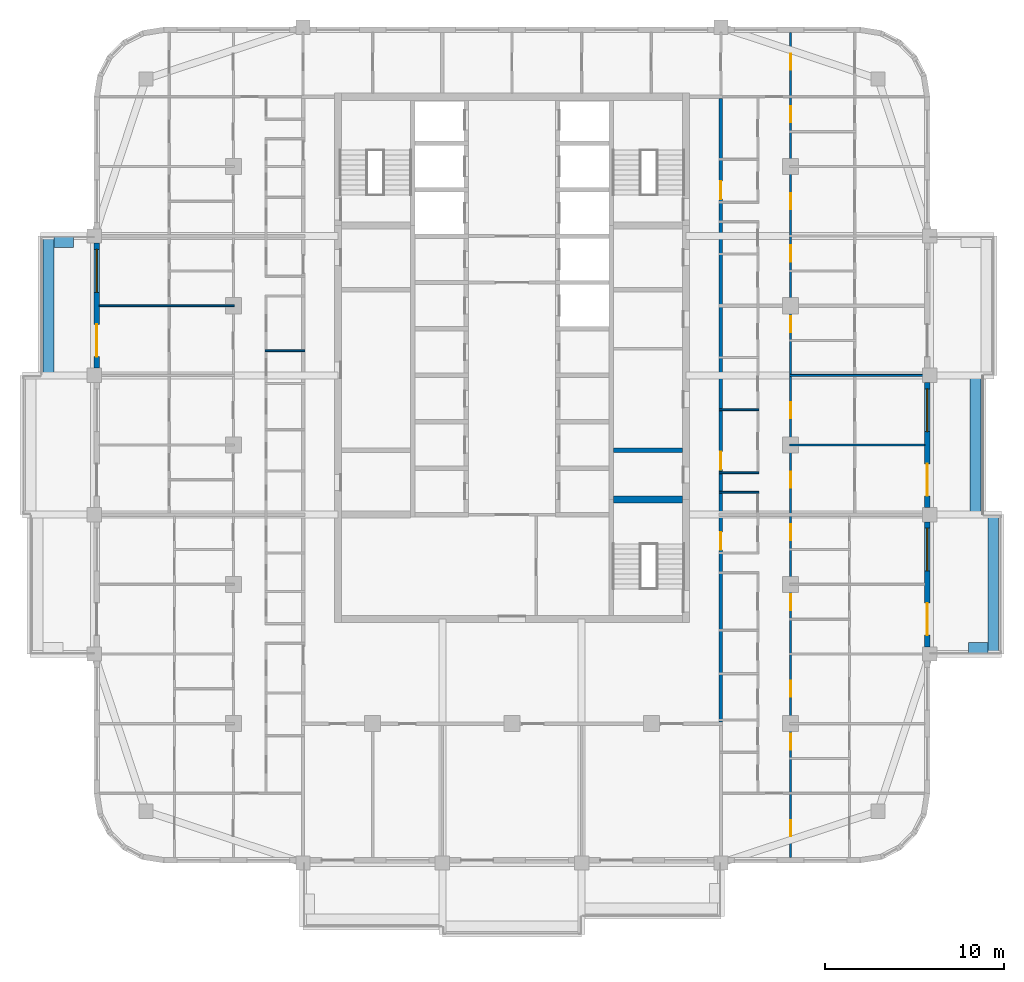
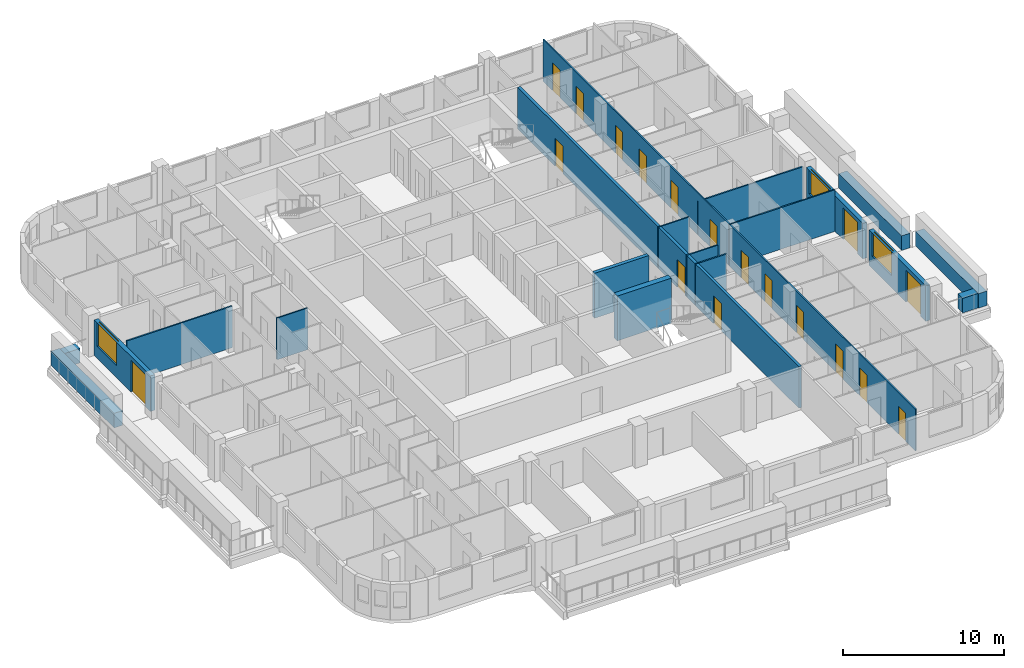
# One storey, part 7 of 16: 19 walls, 18 doors, 3 windows, 21 openings.
"""IFC4 building model written with IfcOpenShell, lengths in metres."""

from ifc_helpers import new_model, si_unit, direction, frame, frame_2d, origin, place, context, subcontext, project, spatial, rectangle, extrude, material, layer, layer_set, type_object, element, fill, save


model = new_model("IFC4")

# Units and contexts
model_context = context("Model", 3, precision=1e-05, world=origin(), true_north=direction((0.0, 1.0)))
body_context = subcontext(model_context, "Body", "Model", "MODEL_VIEW")
ifc_project = project(units=[si_unit("LENGTHUNIT", "METRE"), si_unit("AREAUNIT", "SQUARE_METRE"), si_unit("VOLUMEUNIT", "CUBIC_METRE"), si_unit("PLANEANGLEUNIT", "RADIAN"), si_unit("MASSUNIT", "GRAM", prefix="KILO")], contexts=[model_context])

# Site, building, storey
site_placement = place(None, origin())
site = spatial("IfcSite", under=ifc_project, at=site_placement, CompositionType="ELEMENT")
building_placement = place(site_placement, origin())
building = spatial("IfcBuilding", under=site, at=building_placement, Name="Ludao Terraces", CompositionType="ELEMENT")
storey_placement = place(building_placement, frame((0.0, 0.0, 204.10009765625)))
storey = spatial("IfcBuildingStorey", under=building, at=storey_placement, Name="L55", CompositionType="ELEMENT", Elevation=204.10009765625)

# Walls
ifc_material_1 = material(Name="Concrete C40", Category="concrete")
ifc_layer_1 = layer(ifc_material_1, 0.60009765625)
ifc_layer_set_1 = layer_set([ifc_layer_1], Name="ENV Planter trough 600")
wall_type_1 = type_object("IfcWallType", Name="ENV Planter trough 600", PredefinedType="USERDEFINED", material=ifc_layer_set_1)
wall_1_placement = place(storey_placement, frame((111.949951171875, 53.300048828125, 0.0), z_axis=(0.0, 0.0, 1.0), x_axis=(0.0, 1.0, 0.0)))
element("IfcWall", 1, at=wall_1_placement, inside=storey, type_object=wall_type_1, Name="PL-L55-E1", ObjectType="PLANTER", PredefinedType="USERDEFINED", context=body_context, shape_type="SweptSolid", body=[
    extrude(rectangle(XDim=7.800048828125, YDim=0.60009765625, at=frame_2d((3.89990234375, 0.0))), origin(), (0.0, 0.0, 1.0), 1.099853515625),
])
wall_2_placement = place(storey_placement, frame((111.64990234375, 53.64990234375, 0.0), z_axis=(0.0, 0.0, 1.0), x_axis=(-1.0, 0.0, 0.0)))
element("IfcWall", 2, at=wall_2_placement, inside=storey, type_object=wall_type_1, Name="PL-L55-E1-SA", ObjectType="PLANTER", PredefinedType="USERDEFINED", context=body_context, shape_type="SweptSolid", body=[
    extrude(rectangle(XDim=1.099853515625, YDim=0.60009765625, at=frame_2d((0.5498046875, 0.0))), origin(), (0.0, 0.0, 1.0), 1.099853515625),
])
wall_3_placement = place(storey_placement, frame((110.949951171875, 61.10009765625, 0.0), z_axis=(0.0, 0.0, 1.0), x_axis=(0.0, 1.0, 0.0)))
element("IfcWall", 3, at=wall_3_placement, inside=storey, type_object=wall_type_1, Name="PL-L55-E2", ObjectType="PLANTER", PredefinedType="USERDEFINED", context=body_context, shape_type="SweptSolid", body=[
    extrude(rectangle(XDim=7.7998046875, YDim=0.60009765625, at=frame_2d((3.89990234375, 0.0))), origin(), (0.0, 0.0, 1.0), 1.099853515625),
])
wall_4_placement = place(storey_placement, frame((59.050048828125, 68.89990234375, 0.0), z_axis=(0.0, 0.0, 1.0), x_axis=(0.0, 1.0, 0.0)))
element("IfcWall", 4, at=wall_4_placement, inside=storey, type_object=wall_type_1, Name="PL-L55-W3", ObjectType="PLANTER", PredefinedType="USERDEFINED", context=body_context, shape_type="SweptSolid", body=[
    extrude(rectangle(XDim=7.800048828125, YDim=0.60009765625, at=frame_2d((3.89990234375, 0.0))), origin(), (0.0, 0.0, 1.0), 1.099853515625),
])
wall_5_placement = place(storey_placement, frame((59.35009765625, 76.35009765625, 0.0), z_axis=(0.0, 0.0, 1.0), x_axis=(1.0, 0.0, 0.0)))
element("IfcWall", 5, at=wall_5_placement, inside=storey, type_object=wall_type_1, Name="PL-L55-W3-SB", ObjectType="PLANTER", PredefinedType="USERDEFINED", context=body_context, shape_type="SweptSolid", body=[
    extrude(rectangle(XDim=1.099853515625, YDim=0.60009765625, at=frame_2d((0.5498046875, 0.0))), origin(), (0.0, 0.0, 1.0), 1.099853515625),
])

# Wall, openings, door, window
ifc_material_2 = material(Name="Granite cladding", Category="masonry")
ifc_layer_2 = layer(ifc_material_2, 0.0400390625, Category="stone")
ifc_material_3 = material(Name="Mineral wool")
ifc_layer_3 = layer(ifc_material_3, 0.06005859375)
ifc_layer_4 = layer(ifc_material_1, 0.199951171875, Category="concrete")
ifc_layer_set_2 = layer_set([ifc_layer_2, ifc_layer_3, ifc_layer_4], Name="ENV Stone-clad wall 300")
wall_type_2 = type_object("IfcWallType", Name="ENV Stone-clad wall 300", PredefinedType="SOLIDWALL", material=ifc_layer_set_2)
wall_6_placement = place(storey_placement, frame((108.25, 53.699951171875, 0.0), z_axis=(0.0, 0.0, 1.0), x_axis=(0.0, 1.0, 0.0)))
wall_6 = element("IfcWall", 6, at=wall_6_placement, inside=storey, type_object=wall_type_2, Name="EW-L55-E2", PredefinedType="SOLIDWALL", context=body_context, shape_type="SweptSolid", body=[
    extrude(rectangle(XDim=7.0, YDim=0.300048828125, at=frame_2d((3.5, 0.0))), origin(), (0.0, 0.0, 1.0), 2.699951171875),
])
opening_1_placement = place(wall_6_placement, frame((0.64990234375, 0.0, 0.0)))
opening_1 = element("IfcOpeningElement", 7, at=opening_1_placement, cuts=wall_6, Name="Opening BD", PredefinedType="OPENING", context=body_context, shape_type="SweptSolid", body=[
    extrude(rectangle(XDim=1.800048828125, YDim=2.39990234375, at=frame_2d((0.89990234375, 1.199951171875))), frame((0.0, 0.16015625, 0.0), z_axis=(0.0, -1.0, 0.0), x_axis=(1.0, 0.0, 0.0)), (0.0, 0.0, 1.0), 0.320068359375),
])
opening_2_placement = place(wall_6_placement, frame((4.25, 0.0, 0.89990234375)))
opening_2 = element("IfcOpeningElement", 8, at=opening_2_placement, cuts=wall_6, Name="Opening W1", PredefinedType="OPENING", context=body_context, shape_type="SweptSolid", body=[
    extrude(rectangle(XDim=2.39990234375, YDim=1.800048828125, at=frame_2d((1.199951171875, 0.89990234375))), frame((0.0, 0.16015625, 0.0), z_axis=(0.0, -1.0, 0.0), x_axis=(1.0, 0.0, 0.0)), (0.0, 0.0, 1.0), 0.320068359375),
])
ifc_material_4 = material(Name="Aluminium glazed door", Category="aluminium")
ifc_layer_5 = layer(ifc_material_4, 0.06005859375)
ifc_layer_set_3 = layer_set([ifc_layer_5], Name="ENV Balcony door BD 1800x2400")
door_type_1 = type_object("IfcDoorType", Name="ENV Balcony door BD 1800x2400", OperationType="DOUBLE_DOOR_SINGLE_SWING", PredefinedType="DOOR", material=ifc_layer_set_3)
door_1_placement = place(opening_1_placement, origin())
door_1 = element("IfcDoor", 9, at=door_1_placement, inside=storey, type_object=door_type_1, Name="BD-L55-E2-1", OperationType="DOUBLE_DOOR_SINGLE_SWING", OverallHeight=2.39990234375, OverallWidth=1.800048828125, PredefinedType="DOOR", context=body_context, shape_type="SweptSolid", body=[
    extrude(rectangle(XDim=1.800048828125, YDim=2.39990234375, at=frame_2d((0.89990234375, 1.199951171875))), frame((0.0, 0.02490234375, 0.0), z_axis=(0.0, -1.0, 0.0), x_axis=(1.0, 0.0, 0.0)), (0.0, 0.0, 1.0), 0.050048828125),
])
fill(opening_1, door_1)
ifc_material_5 = material(Name="Clear glass in aluminium frame", Category="aluminium")
ifc_layer_6 = layer(ifc_material_5, 0.06005859375)
ifc_layer_set_4 = layer_set([ifc_layer_6], Name="ENV Window W1 2400x1800")
window_type = type_object("IfcWindowType", Name="ENV Window W1 2400x1800", PartitioningType="DOUBLE_PANEL_VERTICAL", PredefinedType="WINDOW", material=ifc_layer_set_4)
window_1_placement = place(opening_2_placement, origin())
window_1 = element("IfcWindow", 10, at=window_1_placement, inside=storey, type_object=window_type, Name="W-L55-E2-2", OverallHeight=1.800048828125, OverallWidth=2.39990234375, PartitioningType="DOUBLE_PANEL_VERTICAL", PredefinedType="WINDOW", context=body_context, shape_type="SweptSolid", body=[
    extrude(rectangle(XDim=2.39990234375, YDim=1.800048828125, at=frame_2d((1.199951171875, 0.89990234375))), frame((0.0, 0.030029296875, 0.0), z_axis=(0.0, -1.0, 0.0), x_axis=(1.0, 0.0, 0.0)), (0.0, 0.0, 1.0), 0.06005859375),
])
fill(opening_2, window_1)

wall_7_placement = place(storey_placement, frame((108.25, 61.5, 0.0), z_axis=(0.0, 0.0, 1.0), x_axis=(0.0, 1.0, 0.0)))
wall_7 = element("IfcWall", 11, at=wall_7_placement, inside=storey, type_object=wall_type_2, Name="EW-L55-E3", PredefinedType="SOLIDWALL", context=body_context, shape_type="SweptSolid", body=[
    extrude(rectangle(XDim=7.0, YDim=0.300048828125, at=frame_2d((3.5, 0.0))), origin(), (0.0, 0.0, 1.0), 2.699951171875),
])
opening_3_placement = place(wall_7_placement, frame((0.64990234375, 0.0, 0.0)))
opening_3 = element("IfcOpeningElement", 12, at=opening_3_placement, cuts=wall_7, Name="Opening BD", PredefinedType="OPENING", context=body_context, shape_type="SweptSolid", body=[
    extrude(rectangle(XDim=1.800048828125, YDim=2.39990234375, at=frame_2d((0.89990234375, 1.199951171875))), frame((0.0, 0.16015625, 0.0), z_axis=(0.0, -1.0, 0.0), x_axis=(1.0, 0.0, 0.0)), (0.0, 0.0, 1.0), 0.320068359375),
])
opening_4_placement = place(wall_7_placement, frame((4.25, 0.0, 0.89990234375)))
opening_4 = element("IfcOpeningElement", 13, at=opening_4_placement, cuts=wall_7, Name="Opening W1", PredefinedType="OPENING", context=body_context, shape_type="SweptSolid", body=[
    extrude(rectangle(XDim=2.39990234375, YDim=1.800048828125, at=frame_2d((1.199951171875, 0.89990234375))), frame((0.0, 0.16015625, 0.0), z_axis=(0.0, -1.0, 0.0), x_axis=(1.0, 0.0, 0.0)), (0.0, 0.0, 1.0), 0.320068359375),
])
door_2_placement = place(opening_3_placement, origin())
door_2 = element("IfcDoor", 14, at=door_2_placement, inside=storey, type_object=door_type_1, Name="BD-L55-E3-1", OperationType="DOUBLE_DOOR_SINGLE_SWING", OverallHeight=2.39990234375, OverallWidth=1.800048828125, PredefinedType="DOOR", context=body_context, shape_type="SweptSolid", body=[
    extrude(rectangle(XDim=1.800048828125, YDim=2.39990234375, at=frame_2d((0.89990234375, 1.199951171875))), frame((0.0, 0.02490234375, 0.0), z_axis=(0.0, -1.0, 0.0), x_axis=(1.0, 0.0, 0.0)), (0.0, 0.0, 1.0), 0.050048828125),
])
fill(opening_3, door_2)
window_2_placement = place(opening_4_placement, origin())
window_2 = element("IfcWindow", 15, at=window_2_placement, inside=storey, type_object=window_type, Name="W-L55-E3-2", OverallHeight=1.800048828125, OverallWidth=2.39990234375, PartitioningType="DOUBLE_PANEL_VERTICAL", PredefinedType="WINDOW", context=body_context, shape_type="SweptSolid", body=[
    extrude(rectangle(XDim=2.39990234375, YDim=1.800048828125, at=frame_2d((1.199951171875, 0.89990234375))), frame((0.0, 0.030029296875, 0.0), z_axis=(0.0, -1.0, 0.0), x_axis=(1.0, 0.0, 0.0)), (0.0, 0.0, 1.0), 0.06005859375),
])
fill(opening_4, window_2)

wall_8_placement = place(storey_placement, frame((61.75, 69.300048828125, 0.0), z_axis=(0.0, 0.0, 1.0), x_axis=(0.0, 1.0, 0.0)))
wall_8 = element("IfcWall", 16, at=wall_8_placement, inside=storey, type_object=wall_type_2, Name="EW-L55-W4", PredefinedType="SOLIDWALL", context=body_context, shape_type="SweptSolid", body=[
    extrude(rectangle(XDim=7.0, YDim=0.300048828125, at=frame_2d((3.5, 0.0))), origin(), (0.0, 0.0, 1.0), 2.699951171875),
])
opening_5_placement = place(wall_8_placement, frame((0.64990234375, 0.0, 0.0)))
opening_5 = element("IfcOpeningElement", 17, at=opening_5_placement, cuts=wall_8, Name="Opening BD", PredefinedType="OPENING", context=body_context, shape_type="SweptSolid", body=[
    extrude(rectangle(XDim=1.800048828125, YDim=2.39990234375, at=frame_2d((0.89990234375, 1.199951171875))), frame((0.0, 0.16015625, 0.0), z_axis=(0.0, -1.0, 0.0), x_axis=(1.0, 0.0, 0.0)), (0.0, 0.0, 1.0), 0.320068359375),
])
opening_6_placement = place(wall_8_placement, frame((4.25, 0.0, 0.89990234375)))
opening_6 = element("IfcOpeningElement", 18, at=opening_6_placement, cuts=wall_8, Name="Opening W1", PredefinedType="OPENING", context=body_context, shape_type="SweptSolid", body=[
    extrude(rectangle(XDim=2.39990234375, YDim=1.800048828125, at=frame_2d((1.199951171875, 0.89990234375))), frame((0.0, 0.16015625, 0.0), z_axis=(0.0, -1.0, 0.0), x_axis=(1.0, 0.0, 0.0)), (0.0, 0.0, 1.0), 0.320068359375),
])
door_3_placement = place(opening_5_placement, origin())
door_3 = element("IfcDoor", 19, at=door_3_placement, inside=storey, type_object=door_type_1, Name="BD-L55-W4-1", OperationType="DOUBLE_DOOR_SINGLE_SWING", OverallHeight=2.39990234375, OverallWidth=1.800048828125, PredefinedType="DOOR", context=body_context, shape_type="SweptSolid", body=[
    extrude(rectangle(XDim=1.800048828125, YDim=2.39990234375, at=frame_2d((0.89990234375, 1.199951171875))), frame((0.0, 0.02490234375, 0.0), z_axis=(0.0, -1.0, 0.0), x_axis=(1.0, 0.0, 0.0)), (0.0, 0.0, 1.0), 0.050048828125),
])
fill(opening_5, door_3)
window_3_placement = place(opening_6_placement, origin())
window_3 = element("IfcWindow", 20, at=window_3_placement, inside=storey, type_object=window_type, Name="W-L55-W4-2", OverallHeight=1.800048828125, OverallWidth=2.39990234375, PartitioningType="DOUBLE_PANEL_VERTICAL", PredefinedType="WINDOW", context=body_context, shape_type="SweptSolid", body=[
    extrude(rectangle(XDim=2.39990234375, YDim=1.800048828125, at=frame_2d((1.199951171875, 0.89990234375))), frame((0.0, 0.030029296875, 0.0), z_axis=(0.0, -1.0, 0.0), x_axis=(1.0, 0.0, 0.0)), (0.0, 0.0, 1.0), 0.06005859375),
])
fill(opening_6, window_3)

# Wall, openings, doors
ifc_material_6 = material(Name="Autoclaved aerated concrete block B06 A3.5", Category="concrete")
ifc_layer_7 = layer(ifc_material_6, 0.199951171875)
ifc_layer_set_5 = layer_set([ifc_layer_7], Name="INT Entrance wall 200")
wall_type_3 = type_object("IfcWallType", Name="INT Entrance wall 200", PredefinedType="PARTITIONING", material=ifc_layer_set_5)
wall_9_placement = place(storey_placement, frame((96.699951171875, 49.5, 0.0), z_axis=(0.0, 0.0, 1.0), x_axis=(0.0, 1.0, 0.0)))
wall_9 = element("IfcWall", 21, at=wall_9_placement, inside=storey, type_object=wall_type_3, Name="PW-L55-PW090", PredefinedType="PARTITIONING", context=body_context, shape_type="SweptSolid", body=[
    extrude(rectangle(XDim=34.900146484375, YDim=0.199951171875, at=frame_2d((17.4501953125, 0.0))), origin(), (0.0, 0.0, 1.0), 3.14990234375),
])
opening_7_placement = place(wall_9_placement, frame((9.625, 0.0, 0.0)))
opening_7 = element("IfcOpeningElement", 22, at=opening_7_placement, cuts=wall_9, Name="Opening R20-042", PredefinedType="OPENING", context=body_context, shape_type="SweptSolid", body=[
    extrude(rectangle(XDim=1.0, YDim=2.10009765625, at=frame_2d((0.5, 1.050048828125))), frame((0.0, 0.10986328125, 0.0), z_axis=(0.0, -1.0, 0.0), x_axis=(1.0, 0.0, 0.0)), (0.0, 0.0, 1.0), 0.219970703125),
])
opening_8_placement = place(wall_9_placement, frame((14.125, 0.0, 0.0)))
opening_8 = element("IfcOpeningElement", 23, at=opening_8_placement, cuts=wall_9, Name="Opening R20-061", PredefinedType="OPENING", context=body_context, shape_type="SweptSolid", body=[
    extrude(rectangle(XDim=1.0, YDim=2.10009765625, at=frame_2d((0.5, 1.050048828125))), frame((0.0, 0.10986328125, 0.0), z_axis=(0.0, -1.0, 0.0), x_axis=(1.0, 0.0, 0.0)), (0.0, 0.0, 1.0), 0.219970703125),
])
opening_9_placement = place(wall_9_placement, frame((29.275146484375, 0.0, 0.0)))
opening_9 = element("IfcOpeningElement", 24, at=opening_9_placement, cuts=wall_9, Name="Opening R20-113", PredefinedType="OPENING", context=body_context, shape_type="SweptSolid", body=[
    extrude(rectangle(XDim=1.0, YDim=2.10009765625, at=frame_2d((0.5, 1.050048828125))), frame((0.0, 0.10986328125, 0.0), z_axis=(0.0, -1.0, 0.0), x_axis=(1.0, 0.0, 0.0)), (0.0, 0.0, 1.0), 0.219970703125),
])
ifc_material_7 = material(Name="Steel Q235", Category="steel")
door_type_2 = type_object("IfcDoorType", Name="INT Flat entrance door 1000", OperationType="SINGLE_SWING_LEFT", PredefinedType="DOOR", material=ifc_material_7)
door_4_placement = place(opening_7_placement, origin())
door_4 = element("IfcDoor", 25, at=door_4_placement, inside=storey, type_object=door_type_2, Name="DOOR 042", OperationType="SINGLE_SWING_LEFT", OverallHeight=2.10009765625, OverallWidth=1.0, PredefinedType="DOOR", context=body_context, shape_type="SweptSolid", body=[
    extrude(rectangle(XDim=1.0, YDim=2.10009765625, at=frame_2d((0.5, 1.050048828125))), frame((0.0, 0.02490234375, 0.0), z_axis=(0.0, -1.0, 0.0), x_axis=(1.0, 0.0, 0.0)), (0.0, 0.0, 1.0), 0.050048828125),
])
fill(opening_7, door_4)
door_5_placement = place(opening_8_placement, origin())
door_5 = element("IfcDoor", 26, at=door_5_placement, inside=storey, type_object=door_type_2, Name="DOOR 061", OperationType="SINGLE_SWING_LEFT", OverallHeight=2.10009765625, OverallWidth=1.0, PredefinedType="DOOR", context=body_context, shape_type="SweptSolid", body=[
    extrude(rectangle(XDim=1.0, YDim=2.10009765625, at=frame_2d((0.5, 1.050048828125))), frame((0.0, 0.02490234375, 0.0), z_axis=(0.0, -1.0, 0.0), x_axis=(1.0, 0.0, 0.0)), (0.0, 0.0, 1.0), 0.050048828125),
])
fill(opening_8, door_5)
door_6_placement = place(opening_9_placement, origin())
door_6 = element("IfcDoor", 27, at=door_6_placement, inside=storey, type_object=door_type_2, Name="DOOR 113", OperationType="SINGLE_SWING_LEFT", OverallHeight=2.10009765625, OverallWidth=1.0, PredefinedType="DOOR", context=body_context, shape_type="SweptSolid", body=[
    extrude(rectangle(XDim=1.0, YDim=2.10009765625, at=frame_2d((0.5, 1.050048828125))), frame((0.0, 0.02490234375, 0.0), z_axis=(0.0, -1.0, 0.0), x_axis=(1.0, 0.0, 0.0)), (0.0, 0.0, 1.0), 0.050048828125),
])
fill(opening_9, door_6)

# Walls
ifc_material_8 = material(Name="Gypsum plasterboard", Category="gypsum")
ifc_layer_8 = layer(ifc_material_8, 0.012451171875, Category="gypsum")
ifc_layer_9 = layer(ifc_material_3, 0.06005859375, Name="insulation")
ifc_layer_10 = layer(ifc_material_7, 0.014892578125, Name="stud")
ifc_layer_11 = layer(ifc_material_8, 0.012451171875, Category="gypsum")
ifc_layer_set_6 = layer_set([ifc_layer_8, ifc_layer_9, ifc_layer_10, ifc_layer_11], Name="INT Partition 100")
wall_type_4 = type_object("IfcWallType", Name="INT Partition 100", PredefinedType="PARTITIONING", material=ifc_layer_set_6)
for number, where, z_axis, x_axis, name in (
    (28, (96.60009765625, 62.35009765625, 0.0), (0.0, 0.0, 1.0), (1.0, 0.0, 0.0), "PW-L55-PW029"),
    (29, (96.60009765625, 63.449951171875, 0.0), (0.0, 0.0, 1.0), (1.0, 0.0, 0.0), "PW-L55-PW031"),
):
    element("IfcWall", number, at=place(storey_placement, frame(where, z_axis=z_axis, x_axis=x_axis)), inside=storey, type_object=wall_type_4, Name=name, PredefinedType="PARTITIONING", context=body_context, shape_type="SweptSolid", body=[
        extrude(rectangle(XDim=2.219970703125, YDim=0.10009765625, at=frame_2d((1.10986328125, 0.0))), origin(), (0.0, 0.0, 1.0), 3.14990234375),
    ])
wall_10_placement = place(storey_placement, frame((100.550048828125, 65.0, 0.0), z_axis=(0.0, 0.0, 1.0), x_axis=(1.0, 0.0, 0.0)))
element("IfcWall", 30, at=wall_10_placement, inside=storey, type_object=wall_type_4, Name="PW-L55-PW034", PredefinedType="PARTITIONING", context=body_context, shape_type="SweptSolid", body=[
    extrude(rectangle(XDim=7.550048828125, YDim=0.10009765625, at=frame_2d((3.77490234375, 0.0))), origin(), (0.0, 0.0, 1.0), 3.14990234375),
])
wall_11_placement = place(storey_placement, frame((96.60009765625, 66.969970703125, 0.0), z_axis=(0.0, 0.0, 1.0), x_axis=(1.0, 0.0, 0.0)))
element("IfcWall", 31, at=wall_11_placement, inside=storey, type_object=wall_type_4, Name="PW-L55-PW036", PredefinedType="PARTITIONING", context=body_context, shape_type="SweptSolid", body=[
    extrude(rectangle(XDim=2.219970703125, YDim=0.10009765625, at=frame_2d((1.10986328125, 0.0))), origin(), (0.0, 0.0, 1.0), 3.14990234375),
])
wall_12_placement = place(storey_placement, frame((100.550048828125, 68.89990234375, 0.0), z_axis=(0.0, 0.0, 1.0), x_axis=(1.0, 0.0, 0.0)))
element("IfcWall", 32, at=wall_12_placement, inside=storey, type_object=wall_type_4, Name="PW-L55-PW039", PredefinedType="PARTITIONING", context=body_context, shape_type="SweptSolid", body=[
    extrude(rectangle(XDim=7.550048828125, YDim=0.10009765625, at=frame_2d((3.77490234375, 0.0))), origin(), (0.0, 0.0, 1.0), 2.5498046875),
])
wall_13_placement = place(storey_placement, frame((71.18017578125, 70.280029296875, 0.0), z_axis=(0.0, 0.0, 1.0), x_axis=(1.0, 0.0, 0.0)))
element("IfcWall", 33, at=wall_13_placement, inside=storey, type_object=wall_type_4, Name="PW-L55-PW041", PredefinedType="PARTITIONING", context=body_context, shape_type="SweptSolid", body=[
    extrude(rectangle(XDim=2.219970703125, YDim=0.10009765625, at=frame_2d((1.10986328125, 0.0))), origin(), (0.0, 0.0, 1.0), 3.14990234375),
])
wall_14_placement = place(storey_placement, frame((61.900146484375, 72.800048828125, 0.0), z_axis=(0.0, 0.0, 1.0), x_axis=(1.0, 0.0, 0.0)))
element("IfcWall", 34, at=wall_14_placement, inside=storey, type_object=wall_type_4, Name="PW-L55-PW044", PredefinedType="PARTITIONING", context=body_context, shape_type="SweptSolid", body=[
    extrude(rectangle(XDim=7.550048828125, YDim=0.10009765625, at=frame_2d((3.77490234375, 0.0))), origin(), (0.0, 0.0, 1.0), 3.14990234375),
])

# Wall, openings, doors
wall_15_placement = place(storey_placement, frame((100.60009765625, 41.900146484375, 0.0), z_axis=(0.0, 0.0, 1.0), x_axis=(0.0, 1.0, 0.0)))
wall_15 = element("IfcWall", 35, at=wall_15_placement, inside=storey, type_object=wall_type_4, Name="PW-L55-PW096", PredefinedType="PARTITIONING", context=body_context, shape_type="SweptSolid", body=[
    extrude(rectangle(XDim=46.199951171875, YDim=0.10009765625, at=frame_2d((23.10009765625, 0.0))), origin(), (0.0, 0.0, 1.0), 3.14990234375),
])
opening_10_placement = place(wall_15_placement, frame((1.199951171875, 0.0, 0.0)))
opening_10 = element("IfcOpeningElement", 36, at=opening_10_placement, cuts=wall_15, Name="Opening R20-003", PredefinedType="OPENING", context=body_context, shape_type="SweptSolid", body=[
    extrude(rectangle(XDim=0.89990234375, YDim=2.10009765625, at=frame_2d((0.449951171875, 1.050048828125))), frame((0.0, 0.06005859375, 0.0), z_axis=(0.0, -1.0, 0.0), x_axis=(1.0, 0.0, 0.0)), (0.0, 0.0, 1.0), 0.1201171875),
])
opening_11_placement = place(wall_15_placement, frame((6.02490234375, 0.0, 0.0)))
opening_11 = element("IfcOpeningElement", 37, at=opening_11_placement, cuts=wall_15, Name="Opening R20-012", PredefinedType="OPENING", context=body_context, shape_type="SweptSolid", body=[
    extrude(rectangle(XDim=0.89990234375, YDim=2.10009765625, at=frame_2d((0.449951171875, 1.050048828125))), frame((0.0, 0.06005859375, 0.0), z_axis=(0.0, -1.0, 0.0), x_axis=(1.0, 0.0, 0.0)), (0.0, 0.0, 1.0), 0.1201171875),
])
opening_12_placement = place(wall_15_placement, frame((9.0, 0.0, 0.0)))
opening_12 = element("IfcOpeningElement", 38, at=opening_12_placement, cuts=wall_15, Name="Opening R20-022", PredefinedType="OPENING", context=body_context, shape_type="SweptSolid", body=[
    extrude(rectangle(XDim=0.89990234375, YDim=2.10009765625, at=frame_2d((0.449951171875, 1.050048828125))), frame((0.0, 0.06005859375, 0.0), z_axis=(0.0, -1.0, 0.0), x_axis=(1.0, 0.0, 0.0)), (0.0, 0.0, 1.0), 0.1201171875),
])
opening_13_placement = place(wall_15_placement, frame((13.85009765625, 0.0, 0.0)))
opening_13 = element("IfcOpeningElement", 39, at=opening_13_placement, cuts=wall_15, Name="Opening R20-034", PredefinedType="OPENING", context=body_context, shape_type="SweptSolid", body=[
    extrude(rectangle(XDim=0.89990234375, YDim=2.10009765625, at=frame_2d((0.449951171875, 1.050048828125))), frame((0.0, 0.06005859375, 0.0), z_axis=(0.0, -1.0, 0.0), x_axis=(1.0, 0.0, 0.0)), (0.0, 0.0, 1.0), 0.1201171875),
])
opening_14_placement = place(wall_15_placement, frame((17.77490234375, 0.0, 0.0)))
opening_14 = element("IfcOpeningElement", 40, at=opening_14_placement, cuts=wall_15, Name="Opening R20-047", PredefinedType="OPENING", context=body_context, shape_type="SweptSolid", body=[
    extrude(rectangle(XDim=0.89990234375, YDim=2.10009765625, at=frame_2d((0.449951171875, 1.050048828125))), frame((0.0, 0.06005859375, 0.0), z_axis=(0.0, -1.0, 0.0), x_axis=(1.0, 0.0, 0.0)), (0.0, 0.0, 1.0), 0.1201171875),
])
opening_15_placement = place(wall_15_placement, frame((20.699951171875, 0.0, 0.0)))
opening_15 = element("IfcOpeningElement", 41, at=opening_15_placement, cuts=wall_15, Name="Opening R20-056", PredefinedType="OPENING", context=body_context, shape_type="SweptSolid", body=[
    extrude(rectangle(XDim=0.89990234375, YDim=2.10009765625, at=frame_2d((0.449951171875, 1.050048828125))), frame((0.0, 0.06005859375, 0.0), z_axis=(0.0, -1.0, 0.0), x_axis=(1.0, 0.0, 0.0)), (0.0, 0.0, 1.0), 0.1201171875),
])
opening_16_placement = place(wall_15_placement, frame((24.60009765625, 0.0, 0.0)))
opening_16 = element("IfcOpeningElement", 42, at=opening_16_placement, cuts=wall_15, Name="Opening R20-068", PredefinedType="OPENING", context=body_context, shape_type="SweptSolid", body=[
    extrude(rectangle(XDim=0.89990234375, YDim=2.10009765625, at=frame_2d((0.449951171875, 1.050048828125))), frame((0.0, 0.06005859375, 0.0), z_axis=(0.0, -1.0, 0.0), x_axis=(1.0, 0.0, 0.0)), (0.0, 0.0, 1.0), 0.1201171875),
])
opening_17_placement = place(wall_15_placement, frame((29.425048828125, 0.0, 0.0)))
opening_17 = element("IfcOpeningElement", 43, at=opening_17_placement, cuts=wall_15, Name="Opening R20-083", PredefinedType="OPENING", context=body_context, shape_type="SweptSolid", body=[
    extrude(rectangle(XDim=0.89990234375, YDim=2.10009765625, at=frame_2d((0.449951171875, 1.050048828125))), frame((0.0, 0.06005859375, 0.0), z_axis=(0.0, -1.0, 0.0), x_axis=(1.0, 0.0, 0.0)), (0.0, 0.0, 1.0), 0.1201171875),
])
opening_18_placement = place(wall_15_placement, frame((33.375, 0.0, 0.0)))
opening_18 = element("IfcOpeningElement", 44, at=opening_18_placement, cuts=wall_15, Name="Opening R20-101", PredefinedType="OPENING", context=body_context, shape_type="SweptSolid", body=[
    extrude(rectangle(XDim=0.89990234375, YDim=2.10009765625, at=frame_2d((0.449951171875, 1.050048828125))), frame((0.0, 0.06005859375, 0.0), z_axis=(0.0, -1.0, 0.0), x_axis=(1.0, 0.0, 0.0)), (0.0, 0.0, 1.0), 0.1201171875),
])
opening_19_placement = place(wall_15_placement, frame((36.300048828125, 0.0, 0.0)))
opening_19 = element("IfcOpeningElement", 45, at=opening_19_placement, cuts=wall_15, Name="Opening R20-111", PredefinedType="OPENING", context=body_context, shape_type="SweptSolid", body=[
    extrude(rectangle(XDim=0.89990234375, YDim=2.10009765625, at=frame_2d((0.449951171875, 1.050048828125))), frame((0.0, 0.06005859375, 0.0), z_axis=(0.0, -1.0, 0.0), x_axis=(1.0, 0.0, 0.0)), (0.0, 0.0, 1.0), 0.1201171875),
])
opening_20_placement = place(wall_15_placement, frame((41.175048828125, 0.0, 0.0)))
opening_20 = element("IfcOpeningElement", 46, at=opening_20_placement, cuts=wall_15, Name="Opening R20-128", PredefinedType="OPENING", context=body_context, shape_type="SweptSolid", body=[
    extrude(rectangle(XDim=0.89990234375, YDim=2.10009765625, at=frame_2d((0.449951171875, 1.050048828125))), frame((0.0, 0.06005859375, 0.0), z_axis=(0.0, -1.0, 0.0), x_axis=(1.0, 0.0, 0.0)), (0.0, 0.0, 1.0), 0.1201171875),
])
opening_21_placement = place(wall_15_placement, frame((44.10009765625, 0.0, 0.0)))
opening_21 = element("IfcOpeningElement", 47, at=opening_21_placement, cuts=wall_15, Name="Opening R20-141", PredefinedType="OPENING", context=body_context, shape_type="SweptSolid", body=[
    extrude(rectangle(XDim=0.89990234375, YDim=2.10009765625, at=frame_2d((0.449951171875, 1.050048828125))), frame((0.0, 0.06005859375, 0.0), z_axis=(0.0, -1.0, 0.0), x_axis=(1.0, 0.0, 0.0)), (0.0, 0.0, 1.0), 0.1201171875),
])
ifc_material_9 = material(Name="Timber door leaf", Category="wood")
door_type_3 = type_object("IfcDoorType", Name="INT Room door 900", OperationType="SINGLE_SWING_LEFT", PredefinedType="DOOR", material=ifc_material_9)
door_7_placement = place(opening_10_placement, origin())
door_7 = element("IfcDoor", 48, at=door_7_placement, inside=storey, type_object=door_type_3, Name="DOOR 003", OperationType="SINGLE_SWING_RIGHT", OverallHeight=2.10009765625, OverallWidth=0.89990234375, PredefinedType="DOOR", context=body_context, shape_type="SweptSolid", body=[
    extrude(rectangle(XDim=0.89990234375, YDim=2.10009765625, at=frame_2d((0.449951171875, 1.050048828125))), frame((0.0, 0.02490234375, 0.0), z_axis=(0.0, -1.0, 0.0), x_axis=(1.0, 0.0, 0.0)), (0.0, 0.0, 1.0), 0.050048828125),
])
fill(opening_10, door_7)
door_8_placement = place(opening_11_placement, origin())
door_8 = element("IfcDoor", 49, at=door_8_placement, inside=storey, type_object=door_type_3, Name="DOOR 012", OperationType="SINGLE_SWING_RIGHT", OverallHeight=2.10009765625, OverallWidth=0.89990234375, PredefinedType="DOOR", context=body_context, shape_type="SweptSolid", body=[
    extrude(rectangle(XDim=0.89990234375, YDim=2.10009765625, at=frame_2d((0.449951171875, 1.050048828125))), frame((0.0, 0.02490234375, 0.0), z_axis=(0.0, -1.0, 0.0), x_axis=(1.0, 0.0, 0.0)), (0.0, 0.0, 1.0), 0.050048828125),
])
fill(opening_11, door_8)
door_9_placement = place(opening_12_placement, origin())
door_9 = element("IfcDoor", 50, at=door_9_placement, inside=storey, type_object=door_type_3, Name="DOOR 022", OperationType="SINGLE_SWING_RIGHT", OverallHeight=2.10009765625, OverallWidth=0.89990234375, PredefinedType="DOOR", context=body_context, shape_type="SweptSolid", body=[
    extrude(rectangle(XDim=0.89990234375, YDim=2.10009765625, at=frame_2d((0.449951171875, 1.050048828125))), frame((0.0, 0.02490234375, 0.0), z_axis=(0.0, -1.0, 0.0), x_axis=(1.0, 0.0, 0.0)), (0.0, 0.0, 1.0), 0.050048828125),
])
fill(opening_12, door_9)
door_10_placement = place(opening_13_placement, origin())
door_10 = element("IfcDoor", 51, at=door_10_placement, inside=storey, type_object=door_type_3, Name="DOOR 034", OperationType="SINGLE_SWING_RIGHT", OverallHeight=2.10009765625, OverallWidth=0.89990234375, PredefinedType="DOOR", context=body_context, shape_type="SweptSolid", body=[
    extrude(rectangle(XDim=0.89990234375, YDim=2.10009765625, at=frame_2d((0.449951171875, 1.050048828125))), frame((0.0, 0.02490234375, 0.0), z_axis=(0.0, -1.0, 0.0), x_axis=(1.0, 0.0, 0.0)), (0.0, 0.0, 1.0), 0.050048828125),
])
fill(opening_13, door_10)
door_11_placement = place(opening_14_placement, origin())
door_11 = element("IfcDoor", 52, at=door_11_placement, inside=storey, type_object=door_type_3, Name="DOOR 047", OperationType="SINGLE_SWING_LEFT", OverallHeight=2.10009765625, OverallWidth=0.89990234375, PredefinedType="DOOR", context=body_context, shape_type="SweptSolid", body=[
    extrude(rectangle(XDim=0.89990234375, YDim=2.10009765625, at=frame_2d((0.449951171875, 1.050048828125))), frame((0.0, 0.02490234375, 0.0), z_axis=(0.0, -1.0, 0.0), x_axis=(1.0, 0.0, 0.0)), (0.0, 0.0, 1.0), 0.050048828125),
])
fill(opening_14, door_11)
door_12_placement = place(opening_15_placement, origin())
door_12 = element("IfcDoor", 53, at=door_12_placement, inside=storey, type_object=door_type_3, Name="DOOR 056", OperationType="SINGLE_SWING_RIGHT", OverallHeight=2.10009765625, OverallWidth=0.89990234375, PredefinedType="DOOR", context=body_context, shape_type="SweptSolid", body=[
    extrude(rectangle(XDim=0.89990234375, YDim=2.10009765625, at=frame_2d((0.449951171875, 1.050048828125))), frame((0.0, 0.02490234375, 0.0), z_axis=(0.0, -1.0, 0.0), x_axis=(1.0, 0.0, 0.0)), (0.0, 0.0, 1.0), 0.050048828125),
])
fill(opening_15, door_12)
door_13_placement = place(opening_16_placement, origin())
door_13 = element("IfcDoor", 54, at=door_13_placement, inside=storey, type_object=door_type_3, Name="DOOR 068", OperationType="SINGLE_SWING_LEFT", OverallHeight=2.10009765625, OverallWidth=0.89990234375, PredefinedType="DOOR", context=body_context, shape_type="SweptSolid", body=[
    extrude(rectangle(XDim=0.89990234375, YDim=2.10009765625, at=frame_2d((0.449951171875, 1.050048828125))), frame((0.0, 0.02490234375, 0.0), z_axis=(0.0, -1.0, 0.0), x_axis=(1.0, 0.0, 0.0)), (0.0, 0.0, 1.0), 0.050048828125),
])
fill(opening_16, door_13)
door_14_placement = place(opening_17_placement, origin())
door_14 = element("IfcDoor", 55, at=door_14_placement, inside=storey, type_object=door_type_3, Name="DOOR 083", OperationType="SINGLE_SWING_RIGHT", OverallHeight=2.10009765625, OverallWidth=0.89990234375, PredefinedType="DOOR", context=body_context, shape_type="SweptSolid", body=[
    extrude(rectangle(XDim=0.89990234375, YDim=2.10009765625, at=frame_2d((0.449951171875, 1.050048828125))), frame((0.0, 0.02490234375, 0.0), z_axis=(0.0, -1.0, 0.0), x_axis=(1.0, 0.0, 0.0)), (0.0, 0.0, 1.0), 0.050048828125),
])
fill(opening_17, door_14)
door_15_placement = place(opening_18_placement, origin())
door_15 = element("IfcDoor", 56, at=door_15_placement, inside=storey, type_object=door_type_3, Name="DOOR 101", OperationType="SINGLE_SWING_RIGHT", OverallHeight=2.10009765625, OverallWidth=0.89990234375, PredefinedType="DOOR", context=body_context, shape_type="SweptSolid", body=[
    extrude(rectangle(XDim=0.89990234375, YDim=2.10009765625, at=frame_2d((0.449951171875, 1.050048828125))), frame((0.0, 0.02490234375, 0.0), z_axis=(0.0, -1.0, 0.0), x_axis=(1.0, 0.0, 0.0)), (0.0, 0.0, 1.0), 0.050048828125),
])
fill(opening_18, door_15)
door_16_placement = place(opening_19_placement, origin())
door_16 = element("IfcDoor", 57, at=door_16_placement, inside=storey, type_object=door_type_3, Name="DOOR 111", OperationType="SINGLE_SWING_RIGHT", OverallHeight=2.10009765625, OverallWidth=0.89990234375, PredefinedType="DOOR", context=body_context, shape_type="SweptSolid", body=[
    extrude(rectangle(XDim=0.89990234375, YDim=2.10009765625, at=frame_2d((0.449951171875, 1.050048828125))), frame((0.0, 0.02490234375, 0.0), z_axis=(0.0, -1.0, 0.0), x_axis=(1.0, 0.0, 0.0)), (0.0, 0.0, 1.0), 0.050048828125),
])
fill(opening_19, door_16)
door_17_placement = place(opening_20_placement, origin())
door_17 = element("IfcDoor", 58, at=door_17_placement, inside=storey, type_object=door_type_3, Name="DOOR 128", OperationType="SINGLE_SWING_RIGHT", OverallHeight=2.10009765625, OverallWidth=0.89990234375, PredefinedType="DOOR", context=body_context, shape_type="SweptSolid", body=[
    extrude(rectangle(XDim=0.89990234375, YDim=2.10009765625, at=frame_2d((0.449951171875, 1.050048828125))), frame((0.0, 0.02490234375, 0.0), z_axis=(0.0, -1.0, 0.0), x_axis=(1.0, 0.0, 0.0)), (0.0, 0.0, 1.0), 0.050048828125),
])
fill(opening_20, door_17)
door_18_placement = place(opening_21_placement, origin())
door_18 = element("IfcDoor", 59, at=door_18_placement, inside=storey, type_object=door_type_3, Name="DOOR 141", OperationType="SINGLE_SWING_LEFT", OverallHeight=2.10009765625, OverallWidth=0.89990234375, PredefinedType="DOOR", context=body_context, shape_type="SweptSolid", body=[
    extrude(rectangle(XDim=0.89990234375, YDim=2.10009765625, at=frame_2d((0.449951171875, 1.050048828125))), frame((0.0, 0.02490234375, 0.0), z_axis=(0.0, -1.0, 0.0), x_axis=(1.0, 0.0, 0.0)), (0.0, 0.0, 1.0), 0.050048828125),
])
fill(opening_21, door_18)

# Walls
ifc_material_10 = material(Name="Concrete C50", Category="concrete")
ifc_layer_12 = layer(ifc_material_10, 0.25)
ifc_layer_set_7 = layer_set([ifc_layer_12], Name="Shaft wall 250 C50")
wall_type_5 = type_object("IfcWallType", Name="Shaft wall 250 C50", PredefinedType="SOLIDWALL", material=ifc_layer_set_7)
wall_16_placement = place(storey_placement, frame((90.675048828125, 64.699951171875, -0.25), z_axis=(0.0, 0.0, 1.0), x_axis=(1.0, 0.0, 0.0)))
element("IfcWall", 60, at=wall_16_placement, inside=storey, type_object=wall_type_5, Name="Core wall L55 riser-a-E", PredefinedType="SOLIDWALL", context=body_context, shape_type="SweptSolid", body=[
    extrude(rectangle(XDim=3.875, YDim=0.25, at=frame_2d((1.9375, 0.0))), origin(), (0.0, 0.0, 1.0), 3.39990234375),
])
ifc_layer_13 = layer(ifc_material_10, 0.39990234375)
ifc_layer_set_8 = layer_set([ifc_layer_13], Name="Shaft wall 400 C50")
wall_type_6 = type_object("IfcWallType", Name="Shaft wall 400 C50", PredefinedType="SOLIDWALL", material=ifc_layer_set_8)
wall_17_placement = place(storey_placement, frame((90.675048828125, 61.949951171875, -0.25), z_axis=(0.0, 0.0, 1.0), x_axis=(1.0, 0.0, 0.0)))
element("IfcWall", 61, at=wall_17_placement, inside=storey, type_object=wall_type_6, Name="Core wall L55 hall-E", PredefinedType="SOLIDWALL", context=body_context, shape_type="SweptSolid", body=[
    extrude(rectangle(XDim=3.875, YDim=0.39990234375, at=frame_2d((1.9375, 0.0))), origin(), (0.0, 0.0, 1.0), 3.39990234375),
])

save(model, "model.ifc")
